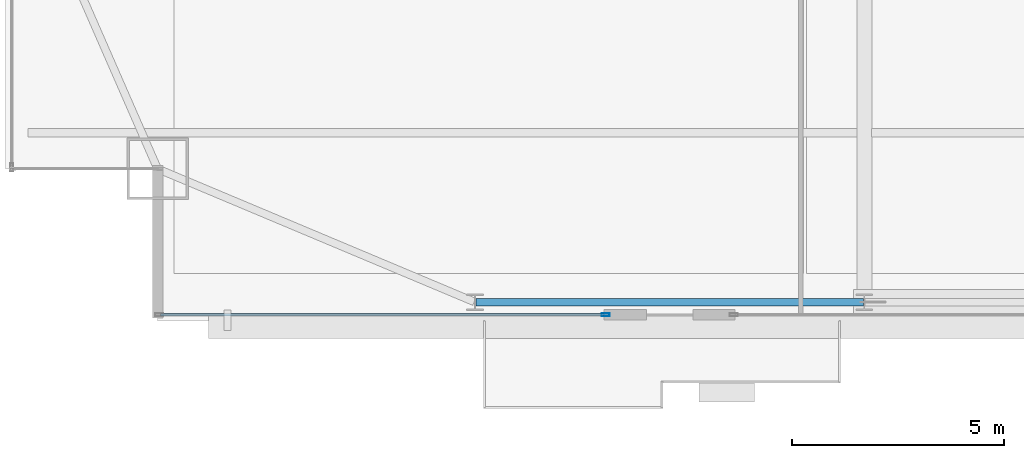
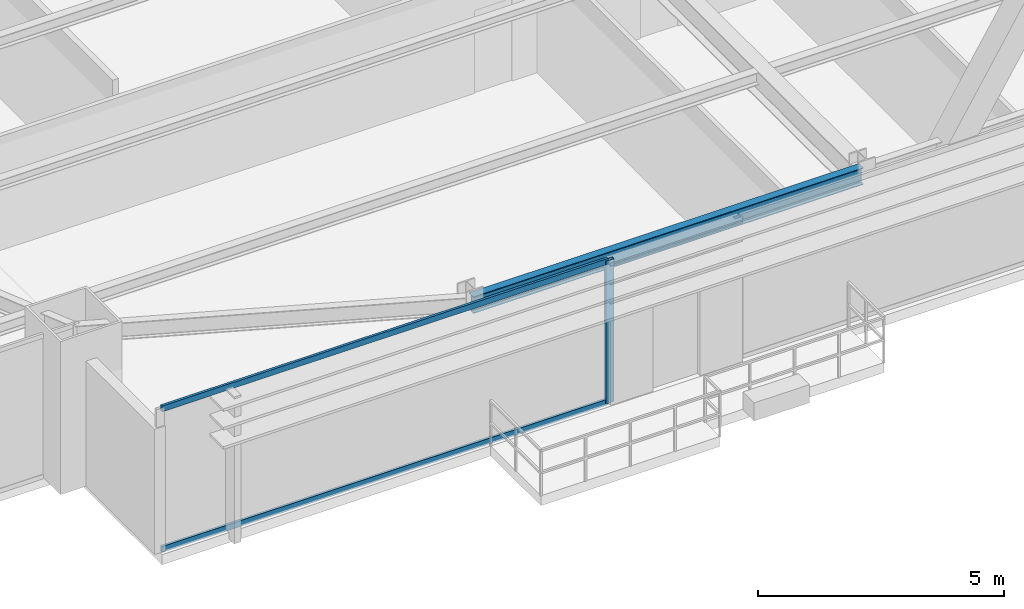
# One storey, part 4 of 37: 3 members, 1 beam, 1 element without a shape of its own.
"""IFC4 building model written with IfcOpenShell, lengths in metres."""

from ifc_helpers import new_model, si_unit, direction, frame, origin, origin_2d, place, context, subcontext, project, spatial, hollow_rectangle, i_section, extrude, source, transform, mapped, material, layer, layer_set, material_profile, profile_set, type_object, type_shapes, element, aggregate, save


model = new_model("IFC4")

# Units and contexts
model_context = context("Model", 3, precision=1e-05, world=origin(), true_north=direction((0.0, 1.0)))
body_context = subcontext(model_context, "Body", "Model", "MODEL_VIEW")
ifc_project = project(units=[si_unit("LENGTHUNIT", "METRE"), si_unit("AREAUNIT", "SQUARE_METRE"), si_unit("VOLUMEUNIT", "CUBIC_METRE"), si_unit("PLANEANGLEUNIT", "RADIAN"), si_unit("MASSUNIT", "GRAM", prefix="KILO")], contexts=[model_context])

# Site, building, storey
site_placement = place(None, origin())
site = spatial("IfcSite", under=ifc_project, at=site_placement, CompositionType="ELEMENT")
building_placement = place(site_placement, origin())
building = spatial("IfcBuilding", under=site, at=building_placement, Name="Varnel Quay Broadcast Tower", CompositionType="ELEMENT")
storey_placement = place(building_placement, frame((0.0, 0.0, 103.0)))
storey = spatial("IfcBuildingStorey", under=building, at=storey_placement, Name="L24", CompositionType="ELEMENT", Elevation=103.0)

# Beam
ifc_material_1 = material(Name="Structural Steel CSA G40.21 350W", Category="steel")
ifc_material_profile_1 = material_profile(ifc_material_1, i_section(OverallWidth=0.180908203125, OverallDepth=0.4169921875, WebThickness=0.010986328125, FlangeThickness=0.018310546875, FilletRadius=0.011962890625, at=origin_2d()), Name="W410X85")
ifc_profile_set_1 = profile_set([ifc_material_profile_1], Name="Structural Steel CSA G40.21 350W")
beam_type = type_object("IfcBeamType", Name="Beam_W410X85", PredefinedType="SPANDREL", material=ifc_profile_set_1)
shared_shape_1 = source(origin(), body_context, "Body", "SweptSolid", [
    extrude(i_section(OverallWidth=0.180908203125, OverallDepth=0.4169921875, WebThickness=0.010986328125, FlangeThickness=0.018310546875, FilletRadius=0.011962890625, at=origin_2d()), origin(), (0.0, 0.0, 1.0), 9.159912109375),
])
type_shapes(beam_type, [shared_shape_1])
beam_placement = place(storey_placement, frame((15.6201171875, 4.64990234375, 3.341552734375), z_axis=(1.0, 0.0, 0.0), x_axis=(0.0, 1.0, 0.0)))
element("IfcBeam", 1, at=beam_placement, inside=storey, type_object=beam_type, Name="L24 South Spandrel TC-S1-TC-S2", PredefinedType="SPANDREL", context=body_context, shape_type="MappedRepresentation", body=[
    mapped(shared_shape_1, transform((0.0, 0.0, 0.0), x_axis=(1.0, 0.0, 0.0), y_axis=(0.0, 1.0, 0.0), z_axis=(0.0, 0.0, 1.0), scale=1.0)),
])

# Curtain wall, members
ifc_material_2 = material(Name="Anodised Bronze Aluminium 6063-T6", Category="aluminium")
ifc_layer = layer(ifc_material_2, 0.18994140625, Name="Anodised Bronze Aluminium 6063-T6")
ifc_layer_set = layer_set([ifc_layer], Name="Anodised Bronze Aluminium 6063-T6")
curtain_wall_type = type_object("IfcCurtainWallType", Name="CW_LowerTower", PredefinedType="NOTDEFINED", material=ifc_layer_set)
curtain_wall_placement = place(storey_placement, origin())
curtain_wall = element("IfcCurtainWall", 2, at=curtain_wall_placement, inside=storey, type_object=curtain_wall_type, Name="L24 South Unitised Curtain Wall 1", PredefinedType="NOTDEFINED")
ifc_material_profile_2 = material_profile(ifc_material_2, hollow_rectangle(XDim=0.070068359375, YDim=0.18994140625, WallThickness=0.00390625, at=origin_2d()), Name="ALU70X190X4")
ifc_profile_set_2 = profile_set([ifc_material_profile_2], Name="Anodised Bronze Aluminium 6063-T6")
member_type_1 = type_object("IfcMemberType", Name="Mull_CWS-02", PredefinedType="MULLION", material=ifc_profile_set_2)
shared_shape_2 = source(origin(), body_context, "Body", "SweptSolid", [
    extrude(hollow_rectangle(XDim=0.070068359375, YDim=0.18994140625, WallThickness=0.00390625, at=origin_2d()), origin(), (0.0, 0.0, 1.0), 3.550048828125),
])
type_shapes(member_type_1, [shared_shape_2])
member_1_placement = place(storey_placement, frame((18.68505859375, 4.35009765625, 0.0), z_axis=(0.0, 0.0, 1.0), x_axis=(0.0, 1.0, 0.0)))
member_1 = element("IfcMember", 3, at=member_1_placement, type_object=member_type_1, Name="CWS-02 mullion 2", PredefinedType="MULLION", context=body_context, shape_type="MappedRepresentation", body=[
    mapped(shared_shape_2, transform((0.0, 0.0, 0.0), x_axis=(1.0, 0.0, 0.0), y_axis=(0.0, 1.0, 0.0), z_axis=(0.0, 0.0, 1.0), scale=1.0)),
])
ifc_material_profile_3 = material_profile(ifc_material_2, hollow_rectangle(XDim=0.06005859375, YDim=0.14501953125, WallThickness=0.00341796875, at=origin_2d()), Name="ALU60X145X3.5")
ifc_profile_set_3 = profile_set([ifc_material_profile_3], Name="Anodised Bronze Aluminium 6063-T6")
member_type_2 = type_object("IfcMemberType", Name="Tran_CWS-02", PredefinedType="USERDEFINED", material=ifc_profile_set_3)
shared_shape_3 = source(origin(), body_context, "Body", "SweptSolid", [
    extrude(hollow_rectangle(XDim=0.06005859375, YDim=0.14501953125, WallThickness=0.00341796875, at=origin_2d()), origin(), (0.0, 0.0, 1.0), 10.47998046875),
])
type_shapes(member_type_2, [shared_shape_3])
member_2_placement = place(storey_placement, frame((8.169921875, 4.35009765625, 0.030029296875), z_axis=(1.0, 0.0, 0.0), x_axis=(0.0, 1.0, 0.0)))
member_2 = element("IfcMember", 4, at=member_2_placement, type_object=member_type_2, Name="CWS-02 transom 1.1", ObjectType="TRANSOM", PredefinedType="USERDEFINED", context=body_context, shape_type="MappedRepresentation", body=[
    mapped(shared_shape_3, transform((0.0, 0.0, 0.0), x_axis=(1.0, 0.0, 0.0), y_axis=(0.0, 1.0, 0.0), z_axis=(0.0, 0.0, 1.0), scale=1.0)),
])
member_3_placement = place(storey_placement, frame((8.169921875, 4.35009765625, 3.52001953125), z_axis=(1.0, 0.0, 0.0), x_axis=(0.0, 1.0, 0.0)))
member_3 = element("IfcMember", 5, at=member_3_placement, type_object=member_type_2, Name="CWS-02 transom 1.2", ObjectType="TRANSOM", PredefinedType="USERDEFINED", context=body_context, shape_type="MappedRepresentation", body=[
    mapped(shared_shape_3, transform((0.0, 0.0, 0.0), x_axis=(1.0, 0.0, 0.0), y_axis=(0.0, 1.0, 0.0), z_axis=(0.0, 0.0, 1.0), scale=1.0)),
])
aggregate(curtain_wall, [member_1, member_2, member_3])

save(model, "model.ifc")
